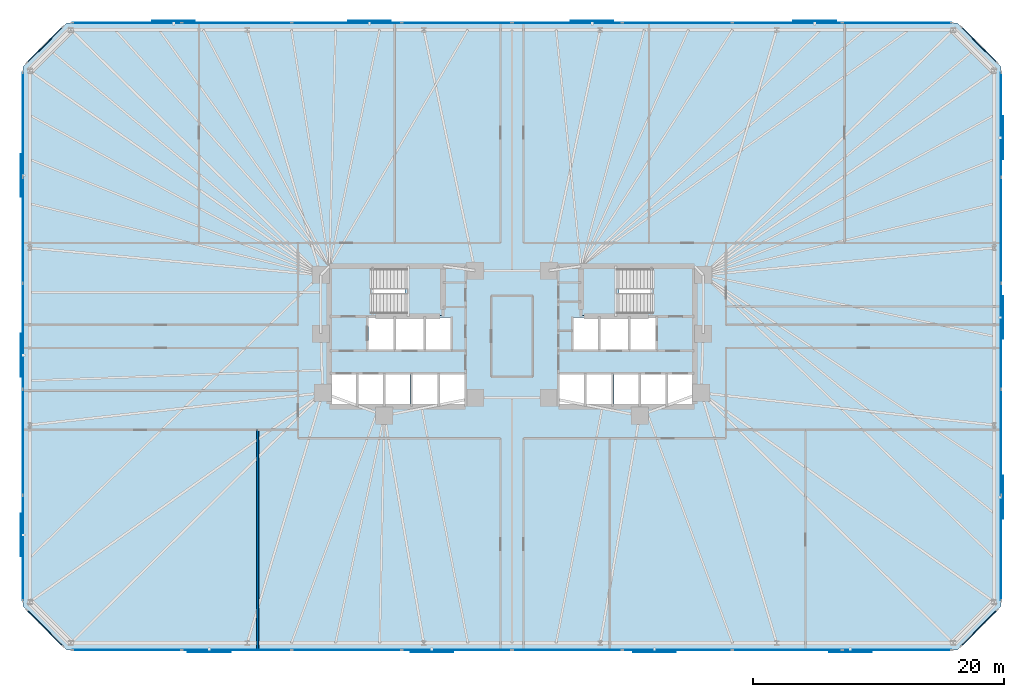
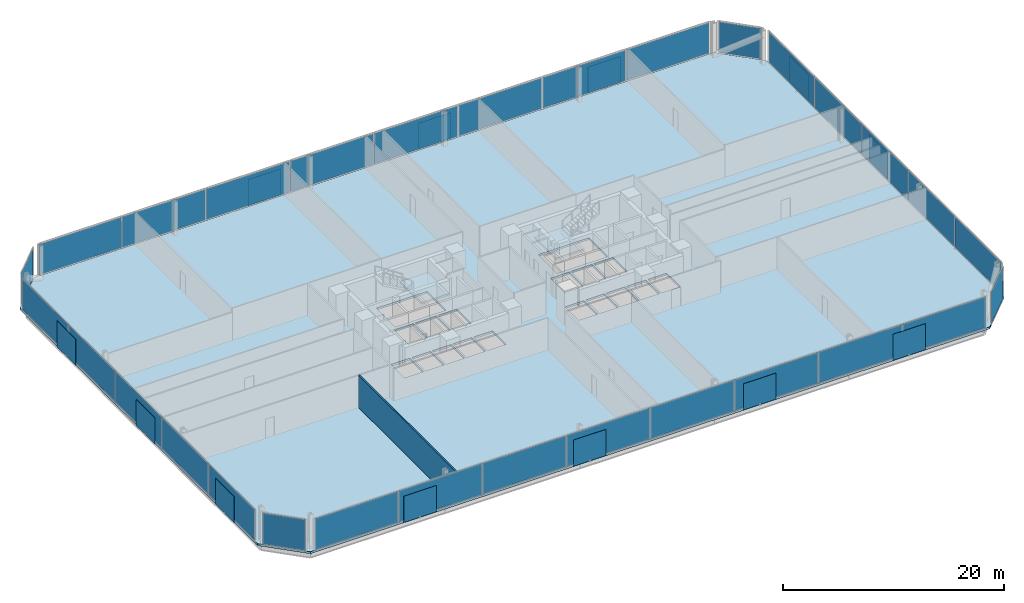
# One storey, part 11 of 17: 44 plates, 3 slabs, 1 wall, 10 elements without a shape of their own.
"""IFC4 building model written with IfcOpenShell, lengths in metres."""

from ifc_helpers import new_model, si_unit, direction, frame, frame_2d, origin, origin_2d, place, context, subcontext, project, spatial, polyline, rectangle, outline, extrude, material, layer, layer_set, type_object, element, aggregate, save


model = new_model("IFC4")

# Units and contexts
model_context = context("Model", 3, precision=1e-05, world=origin(), true_north=direction((0.0, 1.0)))
body_context = subcontext(model_context, "Body", "Model", "MODEL_VIEW")
ifc_project = project(units=[si_unit("LENGTHUNIT", "METRE"), si_unit("AREAUNIT", "SQUARE_METRE"), si_unit("VOLUMEUNIT", "CUBIC_METRE"), si_unit("PLANEANGLEUNIT", "RADIAN"), si_unit("MASSUNIT", "GRAM", prefix="KILO")], contexts=[model_context])

# Site, building, storey
site_placement = place(None, origin())
site = spatial("IfcSite", under=ifc_project, at=site_placement, CompositionType="ELEMENT")
building_placement = place(site_placement, origin())
building = spatial("IfcBuilding", under=site, at=building_placement, Name="Menara Jurai Vektor", CompositionType="ELEMENT")
storey_placement = place(building_placement, frame((0.0, 0.0, 48.39990234375)))
storey = spatial("IfcBuildingStorey", under=building, at=storey_placement, Name="L11", CompositionType="ELEMENT", Elevation=48.39990234375)

# Curtain wall, plates
ifc_material_1 = material(Name="Anodised Pale Aluminium & Low-E Double Glazing", Category="aluminium")
curtain_wall_type = type_object("IfcCurtainWallType", Name="CW-BLK1", PredefinedType="NOTDEFINED", material=ifc_material_1)
curtain_wall_1_placement = place(storey_placement, origin())
curtain_wall_1 = element("IfcCurtainWall", 1, at=curtain_wall_1_placement, inside=storey, type_object=curtain_wall_type, Name="Unitised Curtain Wall L11 F01", PredefinedType="NOTDEFINED")
ifc_material_2 = material(Name="Low-E Solar-Control Double Glazed Unit", Category="glass")
ifc_layer_1 = layer(ifc_material_2, 0.035888671875)
ifc_layer_set_1 = layer_set([ifc_layer_1], Name="Low-E Solar-Control Double Glazed Unit")
plate_type_1 = type_object("IfcPlateType", Name="CW-BLK1-PNL", PredefinedType="CURTAIN_PANEL", material=ifc_layer_set_1)
plate_1_placement = place(storey_placement, frame((-30.706298828125, -25.0, 0.09521484375), z_axis=(0.0, 0.0, 1.0), x_axis=(1.0, 0.0, 0.0)))
plate_1 = element("IfcPlate", 2, at=plate_1_placement, type_object=plate_type_1, Name="CW-01 panel 1.1", PredefinedType="CURTAIN_PANEL", context=body_context, shape_type="SweptSolid", body=[
    extrude(rectangle(XDim=8.637451171875, YDim=0.035888671875, at=origin_2d()), origin(), (0.0, 0.0, 1.0), 3.385009765625),
])
plate_2_placement = place(storey_placement, frame((-21.949951171875, -25.0, 0.09521484375), z_axis=(0.0, 0.0, 1.0), x_axis=(1.0, 0.0, 0.0)))
plate_2 = element("IfcPlate", 3, at=plate_2_placement, type_object=plate_type_1, Name="CW-01 panel 2.1", PredefinedType="CURTAIN_PANEL", context=body_context, shape_type="SweptSolid", body=[
    extrude(rectangle(XDim=8.68505859375, YDim=0.035888671875, at=origin_2d()), origin(), (0.0, 0.0, 1.0), 3.385009765625),
])
plate_3_placement = place(storey_placement, frame((-13.169921875, -25.0, 0.09521484375), z_axis=(0.0, 0.0, 1.0), x_axis=(1.0, 0.0, 0.0)))
plate_3 = element("IfcPlate", 4, at=plate_3_placement, type_object=plate_type_1, Name="CW-01 panel 3.1", PredefinedType="CURTAIN_PANEL", context=body_context, shape_type="SweptSolid", body=[
    extrude(rectangle(XDim=8.68505859375, YDim=0.035888671875, at=origin_2d()), origin(), (0.0, 0.0, 1.0), 3.385009765625),
])
plate_4_placement = place(storey_placement, frame((-4.389892578125, -25.0, 0.09521484375), z_axis=(0.0, 0.0, 1.0), x_axis=(1.0, 0.0, 0.0)))
plate_4 = element("IfcPlate", 5, at=plate_4_placement, type_object=plate_type_1, Name="CW-01 panel 4.1", PredefinedType="CURTAIN_PANEL", context=body_context, shape_type="SweptSolid", body=[
    extrude(rectangle(XDim=8.68505859375, YDim=0.035888671875, at=origin_2d()), origin(), (0.0, 0.0, 1.0), 3.385009765625),
])
plate_5_placement = place(storey_placement, frame((4.389892578125, -25.0, 0.09521484375), z_axis=(0.0, 0.0, 1.0), x_axis=(1.0, 0.0, 0.0)))
plate_5 = element("IfcPlate", 6, at=plate_5_placement, type_object=plate_type_1, Name="CW-01 panel 5.1", PredefinedType="CURTAIN_PANEL", context=body_context, shape_type="SweptSolid", body=[
    extrude(rectangle(XDim=8.68505859375, YDim=0.035888671875, at=origin_2d()), origin(), (0.0, 0.0, 1.0), 3.385009765625),
])
plate_6_placement = place(storey_placement, frame((13.169921875, -25.0, 0.09521484375), z_axis=(0.0, 0.0, 1.0), x_axis=(1.0, 0.0, 0.0)))
plate_6 = element("IfcPlate", 7, at=plate_6_placement, type_object=plate_type_1, Name="CW-01 panel 6.1", PredefinedType="CURTAIN_PANEL", context=body_context, shape_type="SweptSolid", body=[
    extrude(rectangle(XDim=8.68505859375, YDim=0.035888671875, at=origin_2d()), origin(), (0.0, 0.0, 1.0), 3.385009765625),
])
plate_7_placement = place(storey_placement, frame((21.949951171875, -25.0, 0.09521484375), z_axis=(0.0, 0.0, 1.0), x_axis=(1.0, 0.0, 0.0)))
plate_7 = element("IfcPlate", 8, at=plate_7_placement, type_object=plate_type_1, Name="CW-01 panel 7.1", PredefinedType="CURTAIN_PANEL", context=body_context, shape_type="SweptSolid", body=[
    extrude(rectangle(XDim=8.68505859375, YDim=0.035888671875, at=origin_2d()), origin(), (0.0, 0.0, 1.0), 3.385009765625),
])
plate_8_placement = place(storey_placement, frame((30.706298828125, -25.0, 0.09521484375), z_axis=(0.0, 0.0, 1.0), x_axis=(1.0, 0.0, 0.0)))
plate_8 = element("IfcPlate", 9, at=plate_8_placement, type_object=plate_type_1, Name="CW-01 panel 8.1", PredefinedType="CURTAIN_PANEL", context=body_context, shape_type="SweptSolid", body=[
    extrude(rectangle(XDim=8.637451171875, YDim=0.035888671875, at=origin_2d()), origin(), (0.0, 0.0, 1.0), 3.385009765625),
])
aggregate(curtain_wall_1, [plate_1, plate_2, plate_3, plate_4, plate_5, plate_6, plate_7, plate_8])

curtain_wall_2_placement = place(storey_placement, origin())
curtain_wall_2 = element("IfcCurtainWall", 10, at=curtain_wall_2_placement, inside=storey, type_object=curtain_wall_type, Name="Unitised Curtain Wall L11 F03", PredefinedType="NOTDEFINED")
plate_9_placement = place(storey_placement, frame((39.0, -16.872314453125, 0.09521484375), z_axis=(0.0, 0.0, 1.0), x_axis=(0.0, 1.0, 0.0)))
plate_9 = element("IfcPlate", 11, at=plate_9_placement, type_object=plate_type_1, Name="CW-01 panel 1.1", PredefinedType="CURTAIN_PANEL", context=body_context, shape_type="SweptSolid", body=[
    extrude(rectangle(XDim=8.305419921875, YDim=0.035888671875, at=origin_2d()), origin(), (0.0, 0.0, 1.0), 3.385009765625),
])
plate_10_placement = place(storey_placement, frame((39.0, -8.447998046875, 0.09521484375), z_axis=(0.0, 0.0, 1.0), x_axis=(0.0, 1.0, 0.0)))
plate_10 = element("IfcPlate", 12, at=plate_10_placement, type_object=plate_type_1, Name="CW-01 panel 2.1", PredefinedType="CURTAIN_PANEL", context=body_context, shape_type="SweptSolid", body=[
    extrude(rectangle(XDim=8.35302734375, YDim=0.035888671875, at=origin_2d()), origin(), (0.0, 0.0, 1.0), 3.385009765625),
])
plate_11_placement = place(storey_placement, frame((39.0, 0.0, 0.09521484375), z_axis=(0.0, 0.0, 1.0), x_axis=(0.0, 1.0, 0.0)))
plate_11 = element("IfcPlate", 13, at=plate_11_placement, type_object=plate_type_1, Name="CW-01 panel 3.1", PredefinedType="CURTAIN_PANEL", context=body_context, shape_type="SweptSolid", body=[
    extrude(rectangle(XDim=8.35302734375, YDim=0.035888671875, at=origin_2d()), origin(), (0.0, 0.0, 1.0), 3.385009765625),
])
plate_12_placement = place(storey_placement, frame((39.0, 8.447998046875, 0.09521484375), z_axis=(0.0, 0.0, 1.0), x_axis=(0.0, 1.0, 0.0)))
plate_12 = element("IfcPlate", 14, at=plate_12_placement, type_object=plate_type_1, Name="CW-01 panel 4.1", PredefinedType="CURTAIN_PANEL", context=body_context, shape_type="SweptSolid", body=[
    extrude(rectangle(XDim=8.35302734375, YDim=0.035888671875, at=origin_2d()), origin(), (0.0, 0.0, 1.0), 3.385009765625),
])
plate_13_placement = place(storey_placement, frame((39.0, 16.872314453125, 0.09521484375), z_axis=(0.0, 0.0, 1.0), x_axis=(0.0, 1.0, 0.0)))
plate_13 = element("IfcPlate", 15, at=plate_13_placement, type_object=plate_type_1, Name="CW-01 panel 5.1", PredefinedType="CURTAIN_PANEL", context=body_context, shape_type="SweptSolid", body=[
    extrude(rectangle(XDim=8.305419921875, YDim=0.035888671875, at=origin_2d()), origin(), (0.0, 0.0, 1.0), 3.385009765625),
])
aggregate(curtain_wall_2, [plate_9, plate_10, plate_11, plate_12, plate_13])

curtain_wall_3_placement = place(storey_placement, origin())
curtain_wall_3 = element("IfcCurtainWall", 16, at=curtain_wall_3_placement, inside=storey, type_object=curtain_wall_type, Name="Unitised Curtain Wall L11 F05", PredefinedType="NOTDEFINED")
plate_14_placement = place(storey_placement, frame((30.706298828125, 25.0, 0.09521484375), z_axis=(0.0, 0.0, 1.0), x_axis=(-1.0, 0.0, 0.0)))
plate_14 = element("IfcPlate", 17, at=plate_14_placement, type_object=plate_type_1, Name="CW-01 panel 1.1", PredefinedType="CURTAIN_PANEL", context=body_context, shape_type="SweptSolid", body=[
    extrude(rectangle(XDim=8.637451171875, YDim=0.035888671875, at=origin_2d()), origin(), (0.0, 0.0, 1.0), 3.385009765625),
])
plate_15_placement = place(storey_placement, frame((21.949951171875, 25.0, 0.09521484375), z_axis=(0.0, 0.0, 1.0), x_axis=(-1.0, 0.0, 0.0)))
plate_15 = element("IfcPlate", 18, at=plate_15_placement, type_object=plate_type_1, Name="CW-01 panel 2.1", PredefinedType="CURTAIN_PANEL", context=body_context, shape_type="SweptSolid", body=[
    extrude(rectangle(XDim=8.68505859375, YDim=0.035888671875, at=origin_2d()), origin(), (0.0, 0.0, 1.0), 3.385009765625),
])
plate_16_placement = place(storey_placement, frame((13.169921875, 25.0, 0.09521484375), z_axis=(0.0, 0.0, 1.0), x_axis=(-1.0, 0.0, 0.0)))
plate_16 = element("IfcPlate", 19, at=plate_16_placement, type_object=plate_type_1, Name="CW-01 panel 3.1", PredefinedType="CURTAIN_PANEL", context=body_context, shape_type="SweptSolid", body=[
    extrude(rectangle(XDim=8.68505859375, YDim=0.035888671875, at=origin_2d()), origin(), (0.0, 0.0, 1.0), 3.385009765625),
])
plate_17_placement = place(storey_placement, frame((4.389892578125, 25.0, 0.09521484375), z_axis=(0.0, 0.0, 1.0), x_axis=(-1.0, 0.0, 0.0)))
plate_17 = element("IfcPlate", 20, at=plate_17_placement, type_object=plate_type_1, Name="CW-01 panel 4.1", PredefinedType="CURTAIN_PANEL", context=body_context, shape_type="SweptSolid", body=[
    extrude(rectangle(XDim=8.68505859375, YDim=0.035888671875, at=origin_2d()), origin(), (0.0, 0.0, 1.0), 3.385009765625),
])
plate_18_placement = place(storey_placement, frame((-4.389892578125, 25.0, 0.09521484375), z_axis=(0.0, 0.0, 1.0), x_axis=(-1.0, 0.0, 0.0)))
plate_18 = element("IfcPlate", 21, at=plate_18_placement, type_object=plate_type_1, Name="CW-01 panel 5.1", PredefinedType="CURTAIN_PANEL", context=body_context, shape_type="SweptSolid", body=[
    extrude(rectangle(XDim=8.68505859375, YDim=0.035888671875, at=origin_2d()), origin(), (0.0, 0.0, 1.0), 3.385009765625),
])
plate_19_placement = place(storey_placement, frame((-13.169921875, 25.0, 0.09521484375), z_axis=(0.0, 0.0, 1.0), x_axis=(-1.0, 0.0, 0.0)))
plate_19 = element("IfcPlate", 22, at=plate_19_placement, type_object=plate_type_1, Name="CW-01 panel 6.1", PredefinedType="CURTAIN_PANEL", context=body_context, shape_type="SweptSolid", body=[
    extrude(rectangle(XDim=8.68505859375, YDim=0.035888671875, at=origin_2d()), origin(), (0.0, 0.0, 1.0), 3.385009765625),
])
plate_20_placement = place(storey_placement, frame((-21.949951171875, 25.0, 0.09521484375), z_axis=(0.0, 0.0, 1.0), x_axis=(-1.0, 0.0, 0.0)))
plate_20 = element("IfcPlate", 23, at=plate_20_placement, type_object=plate_type_1, Name="CW-01 panel 7.1", PredefinedType="CURTAIN_PANEL", context=body_context, shape_type="SweptSolid", body=[
    extrude(rectangle(XDim=8.68505859375, YDim=0.035888671875, at=origin_2d()), origin(), (0.0, 0.0, 1.0), 3.385009765625),
])
plate_21_placement = place(storey_placement, frame((-30.706298828125, 25.0, 0.09521484375), z_axis=(0.0, 0.0, 1.0), x_axis=(-1.0, 0.0, 0.0)))
plate_21 = element("IfcPlate", 24, at=plate_21_placement, type_object=plate_type_1, Name="CW-01 panel 8.1", PredefinedType="CURTAIN_PANEL", context=body_context, shape_type="SweptSolid", body=[
    extrude(rectangle(XDim=8.637451171875, YDim=0.035888671875, at=origin_2d()), origin(), (0.0, 0.0, 1.0), 3.385009765625),
])
aggregate(curtain_wall_3, [plate_14, plate_15, plate_16, plate_17, plate_18, plate_19, plate_20, plate_21])

curtain_wall_4_placement = place(storey_placement, origin())
curtain_wall_4 = element("IfcCurtainWall", 25, at=curtain_wall_4_placement, inside=storey, type_object=curtain_wall_type, Name="Unitised Curtain Wall L11 F07", PredefinedType="NOTDEFINED")
plate_22_placement = place(storey_placement, frame((-39.0, 16.872314453125, 0.09521484375), z_axis=(0.0, 0.0, 1.0), x_axis=(0.0, -1.0, 0.0)))
plate_22 = element("IfcPlate", 26, at=plate_22_placement, type_object=plate_type_1, Name="CW-01 panel 1.1", PredefinedType="CURTAIN_PANEL", context=body_context, shape_type="SweptSolid", body=[
    extrude(rectangle(XDim=8.305419921875, YDim=0.035888671875, at=origin_2d()), origin(), (0.0, 0.0, 1.0), 3.385009765625),
])
plate_23_placement = place(storey_placement, frame((-39.0, 8.447998046875, 0.09521484375), z_axis=(0.0, 0.0, 1.0), x_axis=(0.0, -1.0, 0.0)))
plate_23 = element("IfcPlate", 27, at=plate_23_placement, type_object=plate_type_1, Name="CW-01 panel 2.1", PredefinedType="CURTAIN_PANEL", context=body_context, shape_type="SweptSolid", body=[
    extrude(rectangle(XDim=8.35302734375, YDim=0.035888671875, at=origin_2d()), origin(), (0.0, 0.0, 1.0), 3.385009765625),
])
plate_24_placement = place(storey_placement, frame((-39.0, 0.0, 0.09521484375), z_axis=(0.0, 0.0, 1.0), x_axis=(0.0, -1.0, 0.0)))
plate_24 = element("IfcPlate", 28, at=plate_24_placement, type_object=plate_type_1, Name="CW-01 panel 3.1", PredefinedType="CURTAIN_PANEL", context=body_context, shape_type="SweptSolid", body=[
    extrude(rectangle(XDim=8.35302734375, YDim=0.035888671875, at=origin_2d()), origin(), (0.0, 0.0, 1.0), 3.385009765625),
])
plate_25_placement = place(storey_placement, frame((-39.0, -8.447998046875, 0.09521484375), z_axis=(0.0, 0.0, 1.0), x_axis=(0.0, -1.0, 0.0)))
plate_25 = element("IfcPlate", 29, at=plate_25_placement, type_object=plate_type_1, Name="CW-01 panel 4.1", PredefinedType="CURTAIN_PANEL", context=body_context, shape_type="SweptSolid", body=[
    extrude(rectangle(XDim=8.35302734375, YDim=0.035888671875, at=origin_2d()), origin(), (0.0, 0.0, 1.0), 3.385009765625),
])
plate_26_placement = place(storey_placement, frame((-39.0, -16.872314453125, 0.09521484375), z_axis=(0.0, 0.0, 1.0), x_axis=(0.0, -1.0, 0.0)))
plate_26 = element("IfcPlate", 30, at=plate_26_placement, type_object=plate_type_1, Name="CW-01 panel 5.1", PredefinedType="CURTAIN_PANEL", context=body_context, shape_type="SweptSolid", body=[
    extrude(rectangle(XDim=8.305419921875, YDim=0.035888671875, at=origin_2d()), origin(), (0.0, 0.0, 1.0), 3.385009765625),
])
aggregate(curtain_wall_4, [plate_22, plate_23, plate_24, plate_25, plate_26])

# Curtain wall, plate
curtain_wall_5_placement = place(storey_placement, origin())
curtain_wall_5 = element("IfcCurtainWall", 31, at=curtain_wall_5_placement, inside=storey, type_object=curtain_wall_type, Name="Unitised Curtain Wall L11 F02", PredefinedType="NOTDEFINED")
ifc_material_3 = material(Name="Insulated Pale Aluminium Spandrel Panel", Category="aluminium")
ifc_layer_2 = layer(ifc_material_3, 0.06005859375)
ifc_layer_set_2 = layer_set([ifc_layer_2], Name="Insulated Pale Aluminium Spandrel Panel")
plate_type_2 = type_object("IfcPlateType", Name="CW-PNL-SP", PredefinedType="CURTAIN_PANEL", material=ifc_layer_set_2)
plate_27_placement = place(storey_placement, frame((37.25, -23.25, 0.09521484375), z_axis=(0.0, 0.0, 1.0), x_axis=(0.707106781187, 0.707106781187, 0.0)))
plate_27 = element("IfcPlate", 32, at=plate_27_placement, type_object=plate_type_2, Name="CW-01 panel 1.1", PredefinedType="CURTAIN_PANEL", context=body_context, shape_type="SweptSolid", body=[
    extrude(rectangle(XDim=3.999755859375, YDim=0.06005859375, at=origin_2d()), origin(), (0.0, 0.0, 1.0), 3.385009765625),
])
aggregate(curtain_wall_5, [plate_27])

curtain_wall_6_placement = place(storey_placement, origin())
curtain_wall_6 = element("IfcCurtainWall", 33, at=curtain_wall_6_placement, inside=storey, type_object=curtain_wall_type, Name="Unitised Curtain Wall L11 F04", PredefinedType="NOTDEFINED")
plate_28_placement = place(storey_placement, frame((37.25, 23.25, 0.09521484375), z_axis=(0.0, 0.0, 1.0), x_axis=(-0.707106781187, 0.707106781187, 0.0)))
plate_28 = element("IfcPlate", 34, at=plate_28_placement, type_object=plate_type_2, Name="CW-01 panel 1.1", PredefinedType="CURTAIN_PANEL", context=body_context, shape_type="SweptSolid", body=[
    extrude(rectangle(XDim=3.999755859375, YDim=0.06005859375, at=origin_2d()), origin(), (0.0, 0.0, 1.0), 3.385009765625),
])
aggregate(curtain_wall_6, [plate_28])

curtain_wall_7_placement = place(storey_placement, origin())
curtain_wall_7 = element("IfcCurtainWall", 35, at=curtain_wall_7_placement, inside=storey, type_object=curtain_wall_type, Name="Unitised Curtain Wall L11 F06", PredefinedType="NOTDEFINED")
plate_29_placement = place(storey_placement, frame((-37.25, 23.25, 0.09521484375), z_axis=(0.0, 0.0, 1.0), x_axis=(-0.707106781187, -0.707106781187, 0.0)))
plate_29 = element("IfcPlate", 36, at=plate_29_placement, type_object=plate_type_2, Name="CW-01 panel 1.1", PredefinedType="CURTAIN_PANEL", context=body_context, shape_type="SweptSolid", body=[
    extrude(rectangle(XDim=3.999755859375, YDim=0.06005859375, at=origin_2d()), origin(), (0.0, 0.0, 1.0), 3.385009765625),
])
aggregate(curtain_wall_7, [plate_29])

curtain_wall_8_placement = place(storey_placement, origin())
curtain_wall_8 = element("IfcCurtainWall", 37, at=curtain_wall_8_placement, inside=storey, type_object=curtain_wall_type, Name="Unitised Curtain Wall L11 F08", PredefinedType="NOTDEFINED")
plate_30_placement = place(storey_placement, frame((-37.25, -23.25, 0.09521484375), z_axis=(0.0, 0.0, 1.0), x_axis=(0.707106781187, -0.707106781187, 0.0)))
plate_30 = element("IfcPlate", 38, at=plate_30_placement, type_object=plate_type_2, Name="CW-01 panel 1.1", PredefinedType="CURTAIN_PANEL", context=body_context, shape_type="SweptSolid", body=[
    extrude(rectangle(XDim=3.999755859375, YDim=0.06005859375, at=origin_2d()), origin(), (0.0, 0.0, 1.0), 3.385009765625),
])
aggregate(curtain_wall_8, [plate_30])

# Plates
ifc_material_4 = material(Name="Anodised Pale Aluminium Perforated Screen", Category="aluminium")
ifc_layer_3 = layer(ifc_material_4, 0.02392578125)
ifc_layer_set_3 = layer_set([ifc_layer_3], Name="Anodised Pale Aluminium Perforated Screen")
plate_type_3 = type_object("IfcPlateType", Name="ENV-PLT-SCREEN", PredefinedType="USERDEFINED", material=ifc_layer_set_3)
for number, where, z_axis, x_axis, name in (
    (39, (-24.139892578125, -25.159912109375, -0.0498046875), (0.0, 0.0, 1.0), (1.0, 0.0, 0.0), "Perforated Pale-Metal Solar Screen L11-S01"),
    (40, (-6.389892578125, -25.159912109375, -0.0498046875), (0.0, 0.0, 1.0), (1.0, 0.0, 0.0), "Perforated Pale-Metal Solar Screen L11-S02"),
    (41, (11.360107421875, -25.159912109375, -0.0498046875), (0.0, 0.0, 1.0), (1.0, 0.0, 0.0), "Perforated Pale-Metal Solar Screen L11-S03"),
    (42, (26.97998046875, -25.159912109375, -0.0498046875), (0.0, 0.0, 1.0), (1.0, 0.0, 0.0), "Perforated Pale-Metal Solar Screen L11-S04"),
    (43, (39.159912109375, -12.828369140625, -0.0498046875), (0.0, 0.0, 1.0), (0.0, 1.0, 0.0), "Perforated Pale-Metal Solar Screen L11-S05"),
    (44, (39.159912109375, 1.5048828125, -0.0498046875), (0.0, 0.0, 1.0), (0.0, 1.0, 0.0), "Perforated Pale-Metal Solar Screen L11-S06"),
    (45, (39.159912109375, 15.83837890625, -0.0498046875), (0.0, 0.0, 1.0), (0.0, 1.0, 0.0), "Perforated Pale-Metal Solar Screen L11-S07"),
    (46, (24.139892578125, 25.159912109375, -0.0498046875), (0.0, 0.0, 1.0), (-1.0, 0.0, 0.0), "Perforated Pale-Metal Solar Screen L11-S08"),
    (47, (6.389892578125, 25.159912109375, -0.0498046875), (0.0, 0.0, 1.0), (-1.0, 0.0, 0.0), "Perforated Pale-Metal Solar Screen L11-S09"),
    (48, (-11.360107421875, 25.159912109375, -0.0498046875), (0.0, 0.0, 1.0), (-1.0, 0.0, 0.0), "Perforated Pale-Metal Solar Screen L11-S10"),
    (49, (-26.97998046875, 25.159912109375, -0.0498046875), (0.0, 0.0, 1.0), (-1.0, 0.0, 0.0), "Perforated Pale-Metal Solar Screen L11-S11"),
    (50, (-39.159912109375, 12.828369140625, -0.0498046875), (0.0, 0.0, 1.0), (0.0, -1.0, 0.0), "Perforated Pale-Metal Solar Screen L11-S12"),
    (51, (-39.159912109375, -1.5048828125, -0.0498046875), (0.0, 0.0, 1.0), (0.0, -1.0, 0.0), "Perforated Pale-Metal Solar Screen L11-S13"),
    (52, (-39.159912109375, -15.83837890625, -0.0498046875), (0.0, 0.0, 1.0), (0.0, -1.0, 0.0), "Perforated Pale-Metal Solar Screen L11-S14"),
):
    element("IfcPlate", number, at=place(storey_placement, frame(where, z_axis=z_axis, x_axis=x_axis)), inside=storey, type_object=plate_type_3, Name=name, ObjectType="SCREEN", PredefinedType="USERDEFINED", context=body_context, shape_type="SweptSolid", body=[
        extrude(rectangle(XDim=3.39990234375, YDim=0.02392578125, at=origin_2d()), origin(), (0.0, 0.0, 1.0), 2.89990234375),
    ])

# Stair, slab
ifc_material_5 = material(Name="Concrete C40/50", Category="concrete")
stair_type = type_object("IfcStairType", Name="STAIR-DOGLEG-1500", PredefinedType="HALF_TURN_STAIR", material=ifc_material_5)
stair_1_placement = place(storey_placement, origin())
stair_1 = element("IfcStair", 53, at=stair_1_placement, inside=storey, type_object=stair_type, Name="Protected Exit Stair ST1 L11", PredefinedType="HALF_TURN_STAIR")
ifc_layer_4 = layer(ifc_material_5, 0.199951171875)
ifc_layer_set_4 = layer_set([ifc_layer_4], Name="Concrete C40/50")
slab_type_1 = type_object("IfcSlabType", Name="STAIR-LANDING-200", PredefinedType="LANDING", material=ifc_layer_set_4)
slab_1_placement = place(storey_placement, frame((0.0, 0.0, 1.7001953125)))
slab_1 = element("IfcSlab", 54, at=slab_1_placement, type_object=slab_type_1, Name="ST1 landing 1", PredefinedType="LANDING", context=body_context, shape_type="SweptSolid", body=[
    extrude(outline(polyline([(-8.52001953125, 1.64990234375), (-5.550048828125, 1.64990234375), (-5.550048828125, 5.550048828125), (-8.52001953125, 5.550048828125), (-8.52001953125, 1.64990234375)])), origin(), (0.0, 0.0, 1.0), 0.199951171875),
])
aggregate(stair_1, [slab_1])

stair_2_placement = place(storey_placement, origin())
stair_2 = element("IfcStair", 55, at=stair_2_placement, inside=storey, type_object=stair_type, Name="Protected Exit Stair ST2 L11", PredefinedType="HALF_TURN_STAIR")
slab_2_placement = place(storey_placement, frame((0.0, 0.0, 1.7001953125)))
slab_2 = element("IfcSlab", 56, at=slab_2_placement, type_object=slab_type_1, Name="ST2 landing 1", PredefinedType="LANDING", context=body_context, shape_type="SweptSolid", body=[
    extrude(outline(polyline([(5.550048828125, 1.64990234375), (8.52001953125, 1.64990234375), (8.52001953125, 5.550048828125), (5.550048828125, 5.550048828125), (5.550048828125, 1.64990234375)])), origin(), (0.0, 0.0, 1.0), 0.199951171875),
])
aggregate(stair_2, [slab_2])

# Slab
ifc_layer_5 = layer(ifc_material_5, 0.22509765625)
ifc_layer_set_5 = layer_set([ifc_layer_5], Name="Concrete C40/50")
slab_type_2 = type_object("IfcSlabType", Name="STR-SLAB-TYP200", PredefinedType="FLOOR", material=ifc_layer_set_5)
slab_3_placement = place(storey_placement, frame((0.0, 0.0, -0.224853515625)))
element("IfcSlab", 57, at=slab_3_placement, inside=storey, type_object=slab_type_2, Name="Composite Floor Slab L11", PredefinedType="FLOOR", context=body_context, shape_type="SweptSolid", body=[
    extrude(outline(polyline([(-35.5, -25.0), (35.5, -25.0), (39.0, -21.5), (39.0, 21.5), (35.5, 25.0), (-35.5, 25.0), (-39.0, 21.5), (-39.0, -21.5), (-35.5, -25.0)]), holes=[polyline([(-11.10009765625, 1.89990234375), (-11.10009765625, 5.300048828125), (-5.800048828125, 5.300048828125), (-5.800048828125, 1.89990234375), (-11.10009765625, 1.89990234375)]), polyline([(5.800048828125, 1.89990234375), (5.800048828125, 5.300048828125), (11.10009765625, 5.300048828125), (11.10009765625, 1.89990234375), (5.800048828125, 1.89990234375)]), polyline([(-11.449951171875, -1.050048828125), (-11.449951171875, 1.5), (-9.449951171875, 1.5), (-9.449951171875, -1.050048828125), (-11.449951171875, -1.050048828125)]), polyline([(9.449951171875, -1.050048828125), (9.449951171875, 1.5), (11.449951171875, 1.5), (11.449951171875, -1.050048828125), (9.449951171875, -1.050048828125)]), polyline([(-5.760009765625, -5.5), (-5.760009765625, -3.050048828125), (-3.800048828125, -3.050048828125), (-3.800048828125, -5.5), (-5.760009765625, -5.5)]), polyline([(-6.85009765625, -1.050048828125), (-6.85009765625, 1.5), (-4.889892578125, 1.5), (-4.889892578125, -1.050048828125), (-6.85009765625, -1.050048828125)]), polyline([(3.800048828125, -5.5), (3.800048828125, -3.050048828125), (5.760009765625, -3.050048828125), (5.760009765625, -5.5), (3.800048828125, -5.5)]), polyline([(4.889892578125, -1.050048828125), (4.889892578125, 1.5), (6.85009765625, 1.5), (6.85009765625, -1.050048828125), (4.889892578125, -1.050048828125)]), polyline([(-14.39990234375, -5.5), (-14.39990234375, -3.050048828125), (-12.43994140625, -3.050048828125), (-12.43994140625, -5.5), (-14.39990234375, -5.5)]), polyline([(-12.239990234375, -5.5), (-12.239990234375, -3.050048828125), (-10.280029296875, -3.050048828125), (-10.280029296875, -5.5), (-12.239990234375, -5.5)]), polyline([(10.280029296875, -5.5), (10.280029296875, -3.050048828125), (12.239990234375, -3.050048828125), (12.239990234375, -5.5), (10.280029296875, -5.5)]), polyline([(12.43994140625, -5.5), (12.43994140625, -3.050048828125), (14.39990234375, -3.050048828125), (14.39990234375, -5.5), (12.43994140625, -5.5)]), polyline([(-10.080078125, -5.5), (-10.080078125, -3.050048828125), (-8.1201171875, -3.050048828125), (-8.1201171875, -5.5), (-10.080078125, -5.5)]), polyline([(-7.919921875, -5.5), (-7.919921875, -3.050048828125), (-5.9599609375, -3.050048828125), (-5.9599609375, -5.5), (-7.919921875, -5.5)]), polyline([(5.9599609375, -5.5), (5.9599609375, -3.050048828125), (7.919921875, -3.050048828125), (7.919921875, -5.5), (5.9599609375, -5.5)]), polyline([(8.1201171875, -5.5), (8.1201171875, -3.050048828125), (10.080078125, -3.050048828125), (10.080078125, -5.5), (8.1201171875, -5.5)]), polyline([(-9.25, -1.050048828125), (-9.25, 1.5), (-7.050048828125, 1.5), (-7.050048828125, -1.050048828125), (-9.25, -1.050048828125)]), polyline([(7.050048828125, -1.050048828125), (7.050048828125, 1.5), (9.25, 1.5), (9.25, -1.050048828125), (7.050048828125, -1.050048828125)])]), origin(), (0.0, 0.0, 1.0), 0.224853515625),
])

# Wall
ifc_material_6 = material(Name="Gypsum Fireboard Partition", Category="gypsum")
ifc_layer_6 = layer(ifc_material_6, 0.14990234375)
ifc_layer_set_6 = layer_set([ifc_layer_6], Name="Gypsum Fireboard Partition")
wall_type = type_object("IfcWallType", Name="INT-WALL-CORR-150", PredefinedType="PARTITIONING", material=ifc_layer_set_6)
wall_placement = place(storey_placement, frame((-20.280029296875, -25.0, 0.0), z_axis=(0.0, 0.0, 1.0), x_axis=(0.0, 1.0, 0.0)))
element("IfcWall", 58, at=wall_placement, inside=storey, type_object=wall_type, Name="Interior Wall IW-150 L11", PredefinedType="PARTITIONING", context=body_context, shape_type="SweptSolid", body=[
    extrude(rectangle(XDim=17.550048828125, YDim=0.14990234375, at=frame_2d((8.77490234375, 0.0))), origin(), (0.0, 0.0, 1.0), 3.5751953125),
])

save(model, "model.ifc")
